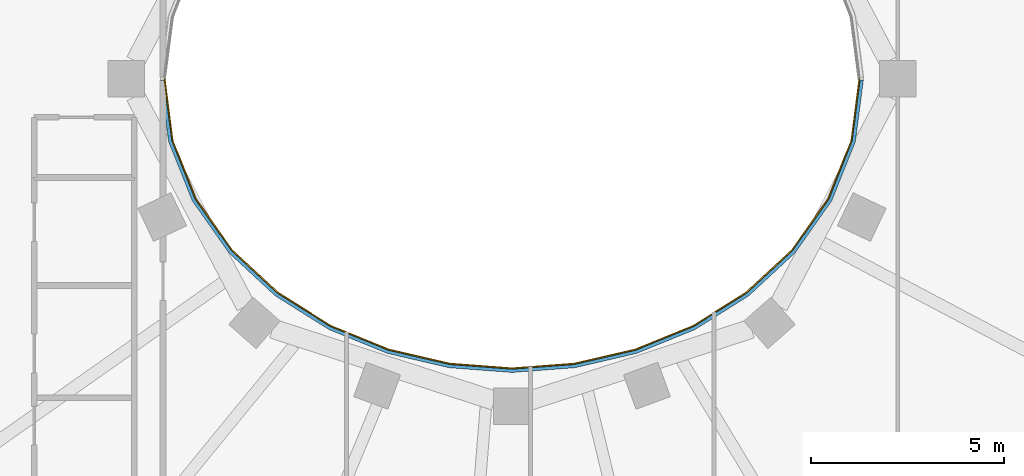
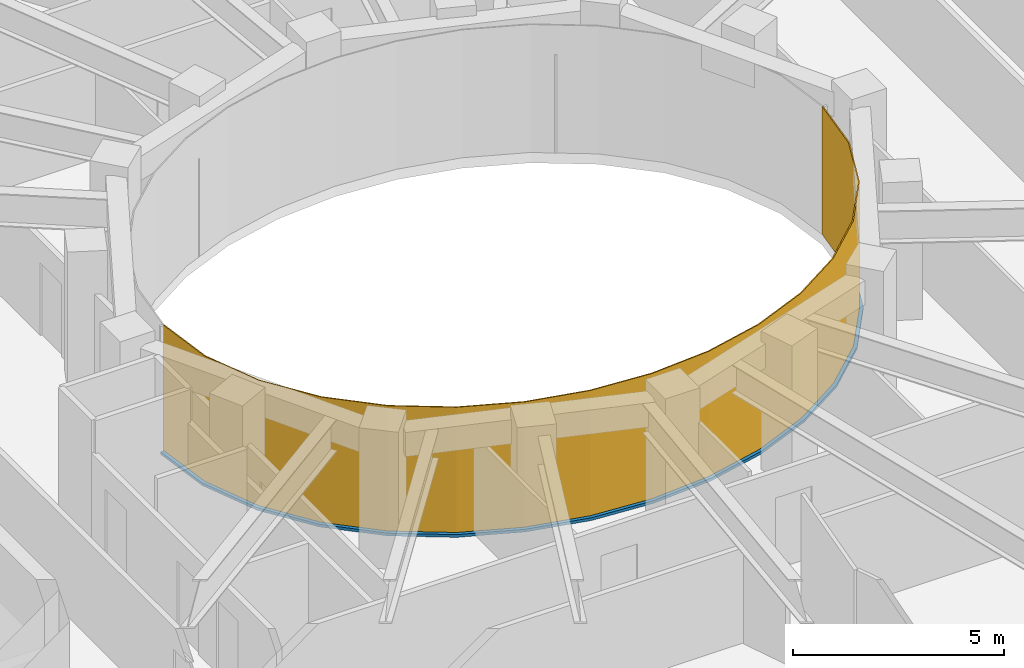
# One storey, part 9 of 16: 1 curtain wall, 1 member.
"""IFC4 building model written with IfcOpenShell, lengths in metres."""

import ifcopenshell
import ifcopenshell.guid

model = None  # the IFC model being written
_history = None  # IfcOwnerHistory: only IFC2X3 demands one
_inside = {}  # id of a spatial element -> (the spatial element, [elements in it])
_under = {}  # id of a project, library or spatial element -> (it, [spatial elements below it])
_declared = {}  # id of a project -> (the project, [libraries it declares])
_typed = {}  # id of a type object -> (the type object, [elements of that type])
_made_of = {}  # id of a material, layer set ... -> (it, [elements and type objects made of it])


def new_model(schema):
    """Start an empty IFC model of exactly this schema.

    Asked for "IFC4X3", IfcOpenShell would pick the latest addendum, in which some entities
    have other attributes; the version numbers below select the first issue.
    IFC2X3 requires an IfcOwnerHistory on every rooted entity: one is made here for all.
    """
    global model, _history
    if schema == "IFC4X3":
        model = ifcopenshell.file(schema_version=(4, 3, 0, 0))
    else:
        model = ifcopenshell.file(schema=schema)
    _inside.clear()
    _under.clear()
    _declared.clear()
    _typed.clear()
    _made_of.clear()
    _history = None
    if model.schema == "IFC2X3":
        org = make("IfcOrganization", Name="unknown")
        user = make(
            "IfcPersonAndOrganization",
            ThePerson=make("IfcPerson", FamilyName="unknown"),
            TheOrganization=org,
        )
        app = make(
            "IfcApplication",
            ApplicationDeveloper=org,
            Version="unknown",
            ApplicationFullName="unknown",
            ApplicationIdentifier="unknown",
        )
        _history = make(
            "IfcOwnerHistory",
            OwningUser=user,
            OwningApplication=app,
            ChangeAction="ADDED",
            CreationDate=0,
        )
    return model


def make(cls, **values):
    """One entity of the class cls with the attributes given. An attribute that is None is left unset."""
    return model.create_entity(
        cls, **{name: value for name, value in values.items() if value is not None}
    )


def rooted(cls, **values):
    """An entity with a GlobalId (a new one), such as an element, a storey or a relation."""
    return make(cls, GlobalId=ifcopenshell.guid.new(), OwnerHistory=_history, **values)


def si_unit(unit_type, name, prefix=None):
    """IfcSIUnit, for example si_unit("LENGTHUNIT", "METRE", prefix="MILLI")."""
    return make("IfcSIUnit", UnitType=unit_type, Prefix=prefix, Name=name)


def assignment(units):
    """IfcUnitAssignment: the units of a project."""
    return None if units is None else make("IfcUnitAssignment", Units=units)


def point(xyz):
    """IfcCartesianPoint."""
    return None if xyz is None else make("IfcCartesianPoint", Coordinates=xyz)


def direction(xyz):
    """IfcDirection."""
    return None if xyz is None else make("IfcDirection", DirectionRatios=xyz)


def frame(location, z_axis=None, x_axis=None):
    """IfcAxis2Placement3D, a coordinate frame: its origin and axes. An axis left out is left unset."""
    return make(
        "IfcAxis2Placement3D",
        Location=point(location),
        Axis=direction(z_axis),
        RefDirection=direction(x_axis),
    )


def origin():
    """The frame at (0, 0, 0) with its axes left unset."""
    return frame((0.0, 0.0, 0.0))


def place(relative_to, where):
    """IfcLocalPlacement: puts the frame where relative to a parent placement (None: the world)."""
    return make(
        "IfcLocalPlacement", PlacementRelTo=relative_to, RelativePlacement=where
    )


def context(
    kind, dimensions, precision=None, world=None, true_north=None, identifier=None
):
    """IfcGeometricRepresentationContext, for example the 3D "Model" context."""
    return make(
        "IfcGeometricRepresentationContext",
        ContextIdentifier=identifier,
        ContextType=kind,
        CoordinateSpaceDimension=dimensions,
        Precision=precision,
        WorldCoordinateSystem=world,
        TrueNorth=true_north,
    )


def subcontext(parent, identifier, kind, view, scale=None):
    """IfcGeometricRepresentationSubContext, for example "Body" below "Model"."""
    return make(
        "IfcGeometricRepresentationSubContext",
        ContextIdentifier=identifier,
        ContextType=kind,
        ParentContext=parent,
        TargetScale=scale,
        TargetView=view,
    )


def project(units=None, contexts=None):
    """IfcProject with its units and contexts."""
    return rooted(
        "IfcProject",
        Name="project",
        RepresentationContexts=contexts,
        UnitsInContext=assignment(units),
    )


def spatial(cls, under=None, at=None, **own):
    """A site, building, storey or space (cls), placed at a placement, below another one or the project."""
    s = rooted(cls, ObjectPlacement=at, **own)
    if under is not None:
        _under.setdefault(under.id(), (under, []))[1].append(s)
    return s


def polyline(points):
    """IfcPolyline through the points."""
    return make("IfcPolyline", Points=[point(p) for p in points])


def outline(outer, holes=None, kind="AREA"):
    """IfcArbitraryClosedProfileDef: a profile drawn as a closed curve; with holes, ...WithVoids."""
    if holes is None:
        return make("IfcArbitraryClosedProfileDef", ProfileType=kind, OuterCurve=outer)
    return make(
        "IfcArbitraryProfileDefWithVoids",
        ProfileType=kind,
        OuterCurve=outer,
        InnerCurves=holes,
    )


def extrude(swept, where, along, depth):
    """IfcExtrudedAreaSolid: the profile swept, set in the frame where, extruded along a direction by depth."""
    return make(
        "IfcExtrudedAreaSolid",
        SweptArea=swept,
        Position=where,
        ExtrudedDirection=direction(along),
        Depth=depth,
    )


def shape(context_of_items, identifier, shape_type, items):
    """IfcShapeRepresentation: the items that make up one representation, for example the "Body"."""
    return make(
        "IfcShapeRepresentation",
        ContextOfItems=context_of_items,
        RepresentationIdentifier=identifier,
        RepresentationType=shape_type,
        Items=items,
    )


def material(Name=None, Category=None):
    """IfcMaterial."""
    return make("IfcMaterial", Name=Name, Category=Category)


def layer(
    of_material, thickness, ventilated=None, Name=None, Category=None, Priority=None
):
    """IfcMaterialLayer: one layer of a wall or slab, of a material (None: an air gap)."""
    return make(
        "IfcMaterialLayer",
        Material=of_material,
        LayerThickness=thickness,
        IsVentilated=ventilated,
        Name=Name,
        Category=Category,
        Priority=Priority,
    )


def layer_set(layers, Name=None):
    """IfcMaterialLayerSet."""
    return make("IfcMaterialLayerSet", MaterialLayers=layers, LayerSetName=Name)


def made_of(thing, what):
    """Note that an element or type object is made of a material, layer set ...; save() writes the relation."""
    if what is not None:
        _made_of.setdefault(what.id(), (what, []))[1].append(thing)
    return thing


def type_object(cls, material=None, **own):
    """A type object (cls), such as IfcWallType, which elements share."""
    return made_of(rooted(cls, **own), material)


def element(
    cls,
    number,
    at=None,
    inside=None,
    cuts=None,
    type_object=None,
    material=None,
    context=None,
    identifier="Body",
    shape_type=None,
    held_by="IfcProductDefinitionShape",
    body=None,
    shapes=None,
    **own,
):
    """One element of the class cls, such as IfcWall. Its Tag is "e" and its number.

    at: its placement. inside: the storey or other place that contains it. cuts: it is an
    opening in that element (IfcRelVoidsElement). A single representation is given by context,
    identifier, shape_type and body (its items); several are given by shapes. held_by: the class
    of the entity that holds the representations. save() writes the other relations.
    """
    e = rooted(cls, Tag="e%d" % number, ObjectPlacement=at, **own)
    if body is not None:
        shapes = [shape(context, identifier, shape_type, body)]
    if shapes is not None:
        e.Representation = make(held_by, Representations=shapes)
    if inside is not None:
        _inside.setdefault(inside.id(), (inside, []))[1].append(e)
    if cuts is not None:
        rooted(
            "IfcRelVoidsElement", RelatingBuildingElement=cuts, RelatedOpeningElement=e
        )
    if type_object is not None:
        _typed.setdefault(type_object.id(), (type_object, []))[1].append(e)
    return made_of(e, material)


def aggregate(whole, parts):
    """IfcRelAggregates: a whole, such as a stair, and the parts it consists of."""
    return rooted("IfcRelAggregates", RelatingObject=whole, RelatedObjects=parts)


def save(model, path):
    """Write the relations noted so far, then the file.

    IfcRelAggregates (storeys below a building ...), IfcRelContainedInSpatialStructure (elements
    in a storey), IfcRelDefinesByType, IfcRelAssociatesMaterial and IfcRelDeclares: one each for
    every whole, place, type object, material and project.
    """
    for whole, parts in _under.values():
        aggregate(whole, parts)
    for where, things in _inside.values():
        rooted(
            "IfcRelContainedInSpatialStructure",
            RelatedElements=things,
            RelatingStructure=where,
        )
    for kind, things in _typed.values():
        rooted("IfcRelDefinesByType", RelatedObjects=things, RelatingType=kind)
    for what, things in _made_of.values():
        rooted("IfcRelAssociatesMaterial", RelatedObjects=things, RelatingMaterial=what)
    for by, libraries in _declared.values():
        rooted("IfcRelDeclares", RelatingContext=by, RelatedDefinitions=libraries)
    model.write(path)


model = new_model("IFC4")

# Units and contexts
model_context = context("Model", 3, precision=1e-05, world=origin(), true_north=direction((0.0, 1.0)))
body_context = subcontext(model_context, "Body", "Model", "MODEL_VIEW")
ifc_project = project(units=[si_unit("LENGTHUNIT", "METRE"), si_unit("AREAUNIT", "SQUARE_METRE"), si_unit("VOLUMEUNIT", "CUBIC_METRE"), si_unit("PLANEANGLEUNIT", "RADIAN"), si_unit("MASSUNIT", "GRAM", prefix="KILO")], contexts=[model_context])

# Member
ifc_material_1 = material(Name="Steel S355 fire-resisting frame", Category="steel")
member_type = type_object("IfcMemberType", Name="ENV-TRANSOM-W", PredefinedType="USERDEFINED", material=ifc_material_1)
site_placement = place(None, origin())
building_placement = place(site_placement, origin())
storey_placement = place(building_placement, frame((0.0, 0.0, 281.5)))
member_placement = place(storey_placement, origin())
member = element("IfcMember", 1, at=member_placement, type_object=member_type, Name="Transom W well 17-01", ObjectType="TRANSOM", PredefinedType="USERDEFINED", context=body_context, shape_type="SweptSolid", body=[
    extrude(outline(polyline([(-9.119384765625, -0.02783203125), (-8.910400390625, -1.63623046875), (-8.29833984375, -3.167236328125), (-7.35107421875, -4.5146484375), (-6.1455078125, -5.6337890625), (-4.75341796875, -6.50634765625), (-3.233642578125, -7.127685546875), (-1.635498046875, -7.498779296875), (0.0, -7.622314453125), (1.635498046875, -7.498779296875), (3.233642578125, -7.127685546875), (4.75341796875, -6.50634765625), (6.1455078125, -5.6337890625), (7.35107421875, -4.5146484375), (8.29833984375, -3.167236328125), (8.910400390625, -1.63623046875), (9.119384765625, -0.02783203125), (9.02880859375, -0.02783203125), (8.822509765625, -1.61328125), (8.21875, -3.124267578125), (7.282958984375, -4.455078125), (6.090576171875, -5.56201171875), (4.712158203125, -6.426025390625), (3.206298828125, -7.04150390625), (1.621826171875, -7.40966796875), (0.0, -7.531982421875), (-1.621826171875, -7.40966796875), (-3.206298828125, -7.04150390625), (-4.712158203125, -6.426025390625), (-6.090576171875, -5.56201171875), (-7.282958984375, -4.455078125), (-8.21875, -3.124267578125), (-8.822509765625, -1.61328125), (-9.02880859375, -0.02783203125), (-9.119384765625, -0.02783203125)])), origin(), (0.0, 0.0, 1.0), 0.080078125),
])

# Site, building, storey
site = spatial("IfcSite", under=ifc_project, at=site_placement, CompositionType="ELEMENT")
building = spatial("IfcBuilding", under=site, at=building_placement, Name="Noorbagh Ring Tower", CompositionType="ELEMENT")
storey = spatial("IfcBuildingStorey", under=building, at=storey_placement, Name="L60", CompositionType="ELEMENT", Elevation=281.5)

# Curtain wall
ifc_material_2 = material(Name="Glass fire-resisting E60 laminated", Category="glass")
ifc_layer = layer(ifc_material_2, 0.031982421875)
ifc_layer_set = layer_set([ifc_layer], Name="Glass fire-resisting E60 laminated")
curtain_wall_type = type_object("IfcCurtainWallType", Name="ENV-CW-W", PredefinedType="NOTDEFINED", material=ifc_layer_set)
curtain_wall_placement = place(storey_placement, origin())
curtain_wall = element("IfcCurtainWall", 2, at=curtain_wall_placement, inside=storey, type_object=curtain_wall_type, Name="Curtain wall W W17", PredefinedType="NOTDEFINED", context=body_context, shape_type="SweptSolid", body=[
    extrude(outline(polyline([(-9.0322265625, 0.0), (-8.822509765625, -1.61328125), (-8.21875, -3.124267578125), (-7.282958984375, -4.455078125), (-6.090576171875, -5.56201171875), (-4.712158203125, -6.426025390625), (-3.206298828125, -7.04150390625), (-1.621826171875, -7.40966796875), (0.0, -7.531982421875), (1.621826171875, -7.40966796875), (3.206298828125, -7.04150390625), (4.712158203125, -6.426025390625), (6.090576171875, -5.56201171875), (7.282958984375, -4.455078125), (8.21875, -3.124267578125), (8.822509765625, -1.61328125), (9.0322265625, 0.0), (9.0, 0.0), (8.79150390625, -1.605224609375), (8.1904296875, -3.10888671875), (7.2587890625, -4.43408203125), (6.071044921875, -5.53662109375), (4.697509765625, -6.3974609375), (3.196533203125, -7.010986328125), (1.6171875, -7.3779296875), (0.0, -7.5), (-1.6171875, -7.3779296875), (-3.196533203125, -7.010986328125), (-4.697509765625, -6.3974609375), (-6.071044921875, -5.53662109375), (-7.2587890625, -4.43408203125), (-8.1904296875, -3.10888671875), (-8.79150390625, -1.605224609375), (-9.0, 0.0), (-9.0322265625, 0.0)])), origin(), (0.0, 0.0, 1.0), 3.699951171875),
])

aggregate(curtain_wall, [member])

save(model, "model.ifc")
